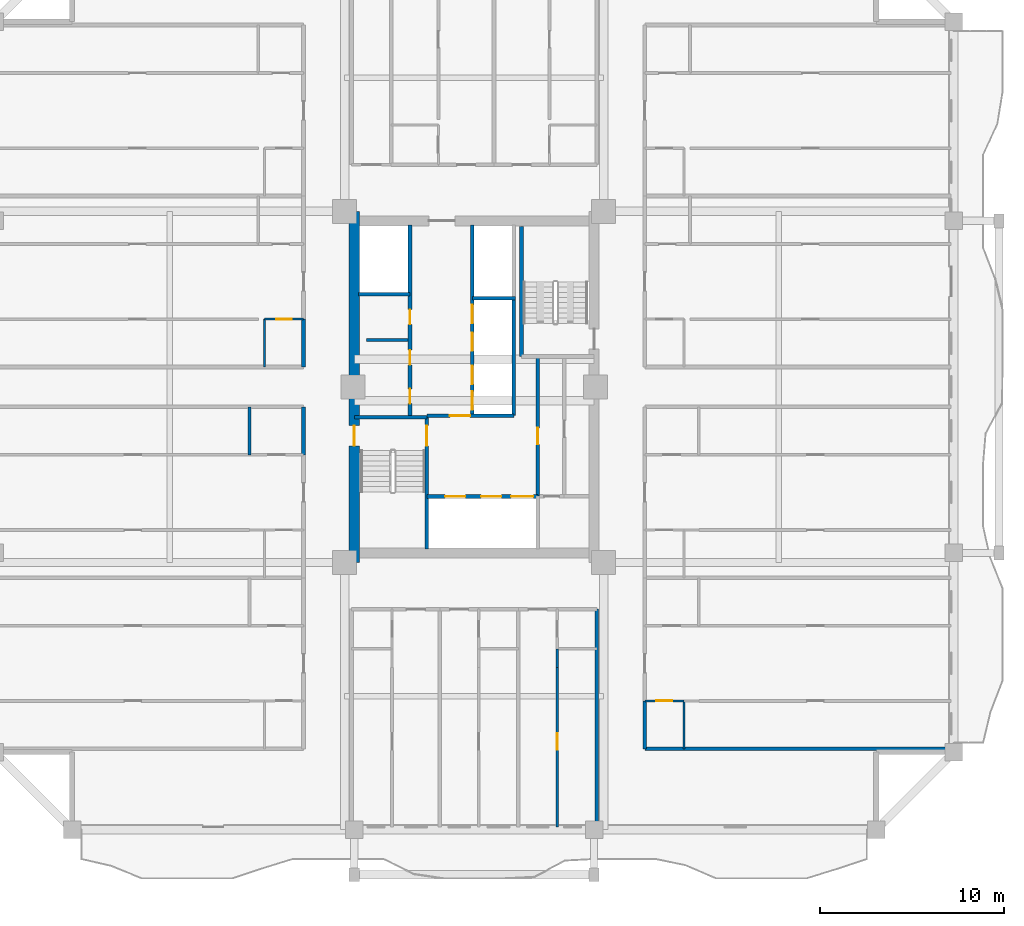
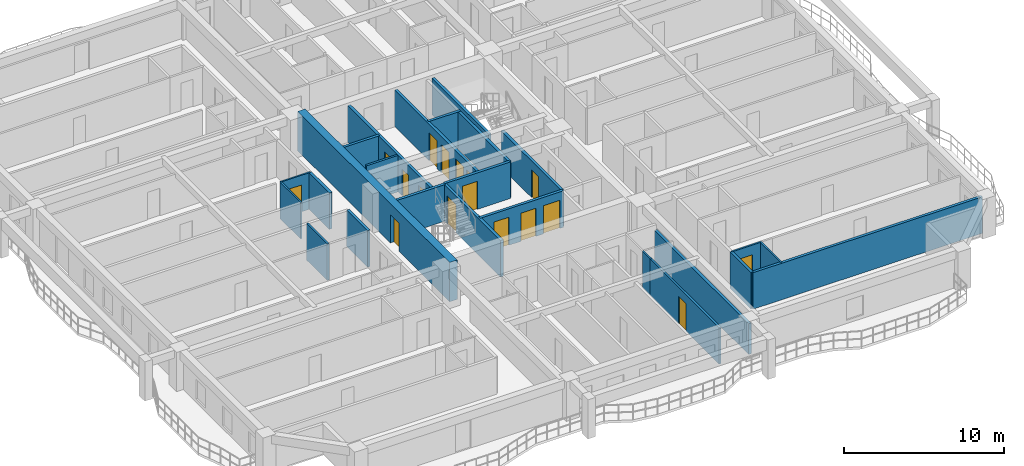
# One storey, part 4 of 13: 25 walls, 17 doors, 17 openings.
"""IFC4 building model written with IfcOpenShell, lengths in metres."""

from ifc_helpers import new_model, si_unit, direction, frame, frame_2d, origin, place, context, subcontext, project, spatial, rectangle, extrude, source, transform, mapped, material, layer, layer_set, type_object, element, fill, save


model = new_model("IFC4")

# Units and contexts
model_context = context("Model", 3, precision=1e-05, world=origin(), true_north=direction((0.0, 1.0)))
body_context = subcontext(model_context, "Body", "Model", "MODEL_VIEW")
ifc_project = project(units=[si_unit("LENGTHUNIT", "METRE"), si_unit("AREAUNIT", "SQUARE_METRE"), si_unit("VOLUMEUNIT", "CUBIC_METRE"), si_unit("PLANEANGLEUNIT", "RADIAN"), si_unit("MASSUNIT", "GRAM", prefix="KILO")], contexts=[model_context])

# Site, building, storey
site_placement = place(None, origin())
site = spatial("IfcSite", under=ifc_project, at=site_placement, CompositionType="ELEMENT")
building_placement = place(site_placement, origin())
building = spatial("IfcBuilding", under=site, at=building_placement, Name="Saelheon Loggia Tower", CompositionType="ELEMENT")
storey_placement = place(building_placement, frame((0.0, 0.0, 110.85009765625)))
storey = spatial("IfcBuildingStorey", under=building, at=storey_placement, Name="L35", CompositionType="ELEMENT", Elevation=110.85009765625)

# Wall, opening, door
ifc_material_1 = material(Name="Concrete C50/60", Category="concrete")
ifc_layer_1 = layer(ifc_material_1, 0.550048828125)
ifc_layer_set_1 = layer_set([ifc_layer_1], Name="Concrete C50/60")
wall_type_1 = type_object("IfcWallType", Name="Wall_CoreShear_550", PredefinedType="SHEAR", material=ifc_layer_set_1)
wall_1_placement = place(storey_placement, frame((31.5, 17.47998046875, 0.0), z_axis=(0.0, 0.0, 1.0), x_axis=(0.0, 1.0, 0.0)))
wall_1 = element("IfcWall", 1, at=wall_1_placement, inside=storey, type_object=wall_type_1, Name="L35 Core Shear Wall West", PredefinedType="SHEAR", context=body_context, shape_type="SweptSolid", body=[
    extrude(rectangle(XDim=19.0400390625, YDim=0.550048828125, at=frame_2d((9.52001953125, 0.0))), origin(), (0.0, 0.0, 1.0), 3.0),
])
opening_1_placement = place(wall_1_placement, frame((6.320068359375, 0.0, 0.0)))
opening_1 = element("IfcOpeningElement", 2, at=opening_1_placement, cuts=wall_1, Name="Opening D-FD2", PredefinedType="OPENING", context=body_context, shape_type="SweptSolid", body=[
    extrude(rectangle(XDim=1.10009765625, YDim=2.14990234375, at=frame_2d((0.550048828125, 1.074951171875))), frame((0.0, 0.287109375, 0.0), z_axis=(0.0, -1.0, 0.0), x_axis=(1.0, 0.0, 0.0)), (0.0, 0.0, 1.0), 0.573974609375),
])
ifc_material_2 = material(Name="Galvanised Steel Fire Door", Category="steel")
door_type_1 = type_object("IfcDoorType", Name="Door_Fire_FD60_1100", OperationType="NOTDEFINED", PredefinedType="DOOR", material=ifc_material_2)
shared_shape_1 = source(origin(), body_context, "Body", "SweptSolid", [
    extrude(rectangle(XDim=1.10009765625, YDim=2.14990234375, at=frame_2d((0.550048828125, 1.074951171875))), frame((0.0, 0.02490234375, 0.0), z_axis=(0.0, -1.0, 0.0), x_axis=(1.0, 0.0, 0.0)), (0.0, 0.0, 1.0), 0.050048828125),
])
door_1_placement = place(opening_1_placement, origin())
door_1 = element("IfcDoor", 3, at=door_1_placement, inside=storey, type_object=door_type_1, Name="L35 Stair ST1 Corridor Door", OperationType="SINGLE_SWING_LEFT", OverallHeight=2.14990234375, OverallWidth=1.10009765625, PredefinedType="DOOR", context=body_context, shape_type="MappedRepresentation", body=[
    mapped(shared_shape_1, transform((0.0, 0.0, 0.0), scale=1.0)),
])
fill(opening_1, door_1)

# Wall
ifc_material_3 = material(Name="Lightweight Autoclaved Aerated Concrete Block and Acoustic Gypsum", Category="concrete")
ifc_layer_2 = layer(ifc_material_3, 0.14990234375)
ifc_layer_set_2 = layer_set([ifc_layer_2], Name="Lightweight Autoclaved Aerated Concrete Block and Acoustic Gypsum")
wall_type_2 = type_object("IfcWallType", Name="Wall_Part_150", PredefinedType="PARTITIONING", material=ifc_layer_set_2)
wall_2_placement = place(storey_placement, frame((32.14990234375, 29.550048828125, 0.0), z_axis=(0.0, 0.0, 1.0), x_axis=(1.0, 0.0, 0.0)))
element("IfcWall", 4, at=wall_2_placement, inside=storey, type_object=wall_type_2, Name="L35 Freed Core Partition PL1", PredefinedType="PARTITIONING", context=body_context, shape_type="SweptSolid", body=[
    extrude(rectangle(XDim=2.27001953125, YDim=0.14990234375, at=frame_2d((1.135009765625, 0.0))), origin(), (0.0, 0.0, 1.0), 2.789794921875),
])

# Wall, opening, door
wall_3_placement = place(storey_placement, frame((42.5, 11.780029296875, 0.0), z_axis=(0.0, 0.0, 1.0), x_axis=(0.0, -1.0, 0.0)))
wall_3 = element("IfcWall", 5, at=wall_3_placement, inside=storey, type_object=wall_type_2, Name="L35 S Partition U22", PredefinedType="PARTITIONING", context=body_context, shape_type="SweptSolid", body=[
    extrude(rectangle(XDim=8.630126953125, YDim=0.14990234375, at=frame_2d((4.31494140625, 0.0))), origin(), (0.0, 0.0, 1.0), 2.789794921875),
])
opening_2_placement = place(wall_3_placement, frame((3.56298828125, 0.0, 0.0)))
opening_2 = element("IfcOpeningElement", 6, at=opening_2_placement, cuts=wall_3, Name="Opening D-IN2", PredefinedType="OPENING", context=body_context, shape_type="SweptSolid", body=[
    extrude(rectangle(XDim=0.89990234375, YDim=2.10009765625, at=frame_2d((0.449951171875, 1.050048828125))), frame((0.0, 0.0869140625, 0.0), z_axis=(0.0, -1.0, 0.0), x_axis=(1.0, 0.0, 0.0)), (0.0, 0.0, 1.0), 0.173828125),
])
ifc_material_4 = material(Name="Engineered Oak Flush Door", Category="timber")
door_type_2 = type_object("IfcDoorType", Name="Door_Int_900", OperationType="NOTDEFINED", PredefinedType="DOOR", material=ifc_material_4)
shared_shape_2 = source(origin(), body_context, "Body", "SweptSolid", [
    extrude(rectangle(XDim=0.89990234375, YDim=2.10009765625, at=frame_2d((0.449951171875, 1.050048828125))), frame((0.0, 0.02490234375, 0.0), z_axis=(0.0, -1.0, 0.0), x_axis=(1.0, 0.0, 0.0)), (0.0, 0.0, 1.0), 0.050048828125),
])
door_2_placement = place(opening_2_placement, origin())
door_2 = element("IfcDoor", 7, at=door_2_placement, inside=storey, type_object=door_type_2, Name="Unit U03 Kitchen Door", OperationType="SINGLE_SWING_RIGHT", OverallHeight=2.10009765625, OverallWidth=0.89990234375, PredefinedType="DOOR", context=body_context, shape_type="MappedRepresentation", body=[
    mapped(shared_shape_2, transform((0.0, 0.0, 0.0), scale=1.0)),
])
fill(opening_2, door_2)

# Walls
wall_4_placement = place(storey_placement, frame((25.820068359375, 23.320068359375, 0.0), z_axis=(0.0, 0.0, 1.0), x_axis=(0.0, 1.0, 0.0)))
element("IfcWall", 8, at=wall_4_placement, inside=storey, type_object=wall_type_2, Name="L35 WS Partition V18", PredefinedType="PARTITIONING", context=body_context, shape_type="SweptSolid", body=[
    extrude(rectangle(XDim=2.599853515625, YDim=0.14990234375, at=frame_2d((1.2998046875, 0.0))), origin(), (0.0, 0.0, 1.0), 2.789794921875),
])
ifc_material_5 = material(Name="Double Acoustic Stud and Fireboard Partition", Category="gypsum")
ifc_layer_3 = layer(ifc_material_5, 0.199951171875)
ifc_layer_set_3 = layer_set([ifc_layer_3], Name="Double Acoustic Stud and Fireboard Partition")
wall_type_3 = type_object("IfcWallType", Name="Wall_Party_200", PredefinedType="PARTITIONING", material=ifc_layer_set_3)
wall_5_placement = place(storey_placement, frame((44.64990234375, 14.949951171875, 0.0), z_axis=(0.0, 0.0, 1.0), x_axis=(0.0, -1.0, 0.0)))
element("IfcWall", 9, at=wall_5_placement, inside=storey, type_object=wall_type_3, Name="L35 S Partition U02", PredefinedType="PARTITIONING", context=body_context, shape_type="SweptSolid", body=[
    extrude(rectangle(XDim=11.800048828125, YDim=0.199951171875, at=frame_2d((5.89990234375, 0.0))), origin(), (0.0, 0.0, 1.0), 2.33984375),
])
wall_6_placement = place(storey_placement, frame((28.75, 23.320068359375, 0.0), z_axis=(0.0, 0.0, 1.0), x_axis=(0.0, 1.0, 0.0)))
element("IfcWall", 10, at=wall_6_placement, inside=storey, type_object=wall_type_3, Name="L35 WS Partition V16", PredefinedType="PARTITIONING", context=body_context, shape_type="SweptSolid", body=[
    extrude(rectangle(XDim=2.599853515625, YDim=0.199951171875, at=frame_2d((1.2998046875, 0.0))), origin(), (0.0, 0.0, 1.0), 2.789794921875),
])
wall_7_placement = place(storey_placement, frame((28.75, 28.080078125, 0.0), z_axis=(0.0, 0.0, 1.0), x_axis=(0.0, 1.0, 0.0)))
element("IfcWall", 11, at=wall_7_placement, inside=storey, type_object=wall_type_3, Name="L35 WN Partition V03", PredefinedType="PARTITIONING", context=body_context, shape_type="SweptSolid", body=[
    extrude(rectangle(XDim=2.595458984375, YDim=0.199951171875, at=frame_2d((1.2978515625, 0.0))), origin(), (0.0, 0.0, 1.0), 2.789794921875),
])
wall_8_placement = place(storey_placement, frame((47.25, 7.3798828125, 0.0), z_axis=(0.0, 0.0, 1.0), x_axis=(1.0, 0.0, 0.0)))
element("IfcWall", 12, at=wall_8_placement, inside=storey, type_object=wall_type_3, Name="L35 ES Partition U01", PredefinedType="PARTITIONING", context=body_context, shape_type="SweptSolid", body=[
    extrude(rectangle(XDim=16.60009765625, YDim=0.199951171875, at=frame_2d((8.300048828125, 0.0))), origin(), (0.0, 0.0, 1.0), 2.789794921875),
])
wall_9_placement = place(storey_placement, frame((47.25, 7.3798828125, 0.0), z_axis=(0.0, 0.0, 1.0), x_axis=(0.0, 1.0, 0.0)))
element("IfcWall", 13, at=wall_9_placement, inside=storey, type_object=wall_type_3, Name="L35 ES Partition V03", PredefinedType="PARTITIONING", context=body_context, shape_type="SweptSolid", body=[
    extrude(rectangle(XDim=2.595703125, YDim=0.199951171875, at=frame_2d((1.2978515625, 0.0))), origin(), (0.0, 0.0, 1.0), 2.789794921875),
])

# Wall, opening, door
ifc_material_6 = material(Name="Concrete C40/50", Category="concrete")
ifc_layer_4 = layer(ifc_material_6, 0.199951171875)
ifc_layer_set_4 = layer_set([ifc_layer_4], Name="Concrete C40/50")
wall_type_4 = type_object("IfcWallType", Name="Wall_Shaft_200", PredefinedType="PARTITIONING", material=ifc_layer_set_4)
wall_10_placement = place(storey_placement, frame((41.449951171875, 21.080078125, 0.0), z_axis=(0.0, 0.0, 1.0), x_axis=(0.0, 1.0, 0.0)))
wall_10 = element("IfcWall", 14, at=wall_10_placement, inside=storey, type_object=wall_type_4, Name="CW-INT-L35-BOH-W1", PredefinedType="PARTITIONING", context=body_context, shape_type="SweptSolid", body=[
    extrude(rectangle(XDim=7.52001953125, YDim=0.199951171875, at=frame_2d((3.760009765625, 0.0))), origin(), (0.0, 0.0, 1.0), 2.789794921875),
])
opening_3_placement = place(wall_10_placement, frame((2.800048828125, 0.0, 0.0)))
opening_3 = element("IfcOpeningElement", 15, at=opening_3_placement, cuts=wall_10, Name="Opening D-RS1", PredefinedType="OPENING", context=body_context, shape_type="SweptSolid", body=[
    extrude(rectangle(XDim=0.89990234375, YDim=2.10009765625, at=frame_2d((0.449951171875, 1.050048828125))), frame((0.0, 0.112060546875, 0.0), z_axis=(0.0, -1.0, 0.0), x_axis=(1.0, 0.0, 0.0)), (0.0, 0.0, 1.0), 0.223876953125),
])
ifc_material_7 = material(Name="Galvanised Steel Riser Access Door", Category="steel")
door_type_3 = type_object("IfcDoorType", Name="Door_Riser_FD60", OperationType="NOTDEFINED", PredefinedType="DOOR", material=ifc_material_7)
door_3_placement = place(opening_3_placement, origin())
door_3 = element("IfcDoor", 16, at=door_3_placement, inside=storey, type_object=door_type_3, Name="L35 Service Store Door", OperationType="SINGLE_SWING_RIGHT", OverallHeight=2.10009765625, OverallWidth=0.89990234375, PredefinedType="DOOR", context=body_context, shape_type="MappedRepresentation", body=[
    mapped(shared_shape_2, transform((0.0, 0.0, 0.0), scale=1.0)),
])
fill(opening_3, door_3)

# Wall
wall_11_placement = place(storey_placement, frame((40.14990234375, 25.43994140625, 0.0), z_axis=(0.0, 0.0, 1.0), x_axis=(0.0, 1.0, 0.0)))
element("IfcWall", 17, at=wall_11_placement, inside=storey, type_object=wall_type_4, Name="L35 Core Service Passage West Wall", PredefinedType="PARTITIONING", context=body_context, shape_type="SweptSolid", body=[
    extrude(rectangle(XDim=6.360107421875, YDim=0.199951171875, at=frame_2d((3.18017578125, 0.0))), origin(), (0.0, 0.0, 1.0), 2.789794921875),
])

# Wall, openings, doors
wall_12_placement = place(storey_placement, frame((35.429931640625, 21.06005859375, 0.0), z_axis=(0.0, 0.0, 1.0), x_axis=(1.0, 0.0, 0.0)))
wall_12 = element("IfcWall", 18, at=wall_12_placement, inside=storey, type_object=wall_type_4, Name="L35 Firefighting Lift Shaft Front Wall", PredefinedType="PARTITIONING", context=body_context, shape_type="SweptSolid", body=[
    extrude(rectangle(XDim=6.02001953125, YDim=0.199951171875, at=frame_2d((3.010009765625, 0.0))), origin(), (0.0, 0.0, 1.0), 2.789794921875),
])
opening_4_placement = place(wall_12_placement, frame((1.0, 0.0, 0.0)))
opening_4 = element("IfcOpeningElement", 19, at=opening_4_placement, cuts=wall_12, Name="Opening LD2", PredefinedType="OPENING", context=body_context, shape_type="SweptSolid", body=[
    extrude(rectangle(XDim=1.10009765625, YDim=2.14990234375, at=frame_2d((0.550048828125, 1.074951171875))), frame((0.0, 0.112060546875, 0.0), z_axis=(0.0, -1.0, 0.0), x_axis=(1.0, 0.0, 0.0)), (0.0, 0.0, 1.0), 0.223876953125),
])
opening_5_placement = place(wall_12_placement, frame((2.949951171875, 0.0, 0.0)))
opening_5 = element("IfcOpeningElement", 20, at=opening_5_placement, cuts=wall_12, Name="Opening LD2", PredefinedType="OPENING", context=body_context, shape_type="SweptSolid", body=[
    extrude(rectangle(XDim=1.10009765625, YDim=2.14990234375, at=frame_2d((0.550048828125, 1.074951171875))), frame((0.0, 0.112060546875, 0.0), z_axis=(0.0, -1.0, 0.0), x_axis=(1.0, 0.0, 0.0)), (0.0, 0.0, 1.0), 0.223876953125),
])
opening_6_placement = place(wall_12_placement, frame((4.580078125, 0.0, 0.0)))
opening_6 = element("IfcOpeningElement", 21, at=opening_6_placement, cuts=wall_12, Name="Opening LD3", PredefinedType="OPENING", context=body_context, shape_type="SweptSolid", body=[
    extrude(rectangle(XDim=1.199951171875, YDim=2.14990234375, at=frame_2d((0.60009765625, 1.074951171875))), frame((0.0, 0.112060546875, 0.0), z_axis=(0.0, -1.0, 0.0), x_axis=(1.0, 0.0, 0.0)), (0.0, 0.0, 1.0), 0.223876953125),
])
ifc_material_8 = material(Name="Firefighting Stainless Steel 316 Landing Door", Category="steel")
door_type_4 = type_object("IfcDoorType", Name="Door_Lift_LD2", OperationType="DOUBLE_DOOR_SLIDING", PredefinedType="DOOR", material=ifc_material_8)
door_4_placement = place(opening_4_placement, origin())
door_4 = element("IfcDoor", 22, at=door_4_placement, inside=storey, type_object=door_type_4, Name="L35 FF1 Landing Door", OperationType="DOUBLE_DOOR_SLIDING", OverallHeight=2.14990234375, OverallWidth=1.10009765625, PredefinedType="DOOR", context=body_context, shape_type="MappedRepresentation", body=[
    mapped(shared_shape_1, transform((0.0, 0.0, 0.0), scale=1.0)),
])
fill(opening_4, door_4)
door_5_placement = place(opening_5_placement, origin())
door_5 = element("IfcDoor", 23, at=door_5_placement, inside=storey, type_object=door_type_4, Name="L35 FF2 Landing Door", OperationType="DOUBLE_DOOR_SLIDING", OverallHeight=2.14990234375, OverallWidth=1.10009765625, PredefinedType="DOOR", context=body_context, shape_type="MappedRepresentation", body=[
    mapped(shared_shape_1, transform((0.0, 0.0, 0.0), scale=1.0)),
])
fill(opening_5, door_5)
ifc_material_9 = material(Name="Stretcher Lift Stainless Steel 304 Landing Door", Category="steel")
door_type_5 = type_object("IfcDoorType", Name="Door_Lift_LD3", OperationType="DOUBLE_DOOR_SLIDING", PredefinedType="DOOR", material=ifc_material_9)
shared_shape_3 = source(origin(), body_context, "Body", "SweptSolid", [
    extrude(rectangle(XDim=1.199951171875, YDim=2.14990234375, at=frame_2d((0.60009765625, 1.074951171875))), frame((0.0, 0.02490234375, 0.0), z_axis=(0.0, -1.0, 0.0), x_axis=(1.0, 0.0, 0.0)), (0.0, 0.0, 1.0), 0.050048828125),
])
door_6_placement = place(opening_6_placement, origin())
door_6 = element("IfcDoor", 24, at=door_6_placement, inside=storey, type_object=door_type_5, Name="L35 SV1 Landing Door", OperationType="DOUBLE_DOOR_SLIDING", OverallHeight=2.14990234375, OverallWidth=1.199951171875, PredefinedType="DOOR", context=body_context, shape_type="MappedRepresentation", body=[
    mapped(shared_shape_3, transform((0.0, 0.0, 0.0), scale=1.0)),
])
fill(opening_6, door_6)

# Wall, opening, door
wall_13_placement = place(storey_placement, frame((35.429931640625, 25.43994140625, 0.0), z_axis=(0.0, 0.0, 1.0), x_axis=(1.0, 0.0, 0.0)))
wall_13 = element("IfcWall", 25, at=wall_13_placement, inside=storey, type_object=wall_type_4, Name="L35 Firefighting Lobby Compartment Wall", PredefinedType="PARTITIONING", context=body_context, shape_type="SweptSolid", body=[
    extrude(rectangle(XDim=4.719970703125, YDim=0.199951171875, at=frame_2d((2.35986328125, 0.0))), origin(), (0.0, 0.0, 1.0), 2.789794921875),
])
opening_7_placement = place(wall_13_placement, frame((1.25, 0.0, 0.0)))
opening_7 = element("IfcOpeningElement", 26, at=opening_7_placement, cuts=wall_13, Name="Opening D-FD2", PredefinedType="OPENING", context=body_context, shape_type="SweptSolid", body=[
    extrude(rectangle(XDim=1.10009765625, YDim=2.14990234375, at=frame_2d((0.550048828125, 1.074951171875))), frame((0.0, 0.112060546875, 0.0), z_axis=(0.0, -1.0, 0.0), x_axis=(1.0, 0.0, 0.0)), (0.0, 0.0, 1.0), 0.223876953125),
])
door_7_placement = place(opening_7_placement, origin())
door_7 = element("IfcDoor", 27, at=door_7_placement, inside=storey, type_object=door_type_1, Name="L35 Firefighting Lobby Door", OperationType="SINGLE_SWING_LEFT", OverallHeight=2.14990234375, OverallWidth=1.10009765625, PredefinedType="DOOR", context=body_context, shape_type="MappedRepresentation", body=[
    mapped(shared_shape_1, transform((0.0, 0.0, 0.0), scale=1.0)),
])
fill(opening_7, door_7)

# Wall, openings, doors
wall_14_placement = place(storey_placement, frame((34.52001953125, 25.43994140625, 0.0), z_axis=(0.0, 0.0, 1.0), x_axis=(0.0, 1.0, 0.0)))
wall_14 = element("IfcWall", 28, at=wall_14_placement, inside=storey, type_object=wall_type_4, Name="L35 West Passenger Lift Bank Wall", PredefinedType="PARTITIONING", context=body_context, shape_type="SweptSolid", body=[
    extrude(rectangle(XDim=10.340087890625, YDim=0.199951171875, at=frame_2d((5.169921875, 0.0))), origin(), (0.0, 0.0, 1.0), 2.789794921875),
])
opening_8_placement = place(wall_14_placement, frame((0.64990234375, 0.0, 0.0)))
opening_8 = element("IfcOpeningElement", 29, at=opening_8_placement, cuts=wall_14, Name="Opening D-ST1", PredefinedType="OPENING", context=body_context, shape_type="SweptSolid", body=[
    extrude(rectangle(XDim=0.800048828125, YDim=2.050048828125, at=frame_2d((0.39990234375, 1.02490234375))), frame((0.0, 0.112060546875, 0.0), z_axis=(0.0, -1.0, 0.0), x_axis=(1.0, 0.0, 0.0)), (0.0, 0.0, 1.0), 0.223876953125),
])
opening_9_placement = place(wall_14_placement, frame((2.75, 0.0, 0.0)))
opening_9 = element("IfcOpeningElement", 30, at=opening_9_placement, cuts=wall_14, Name="Opening D-ST1", PredefinedType="OPENING", context=body_context, shape_type="SweptSolid", body=[
    extrude(rectangle(XDim=0.800048828125, YDim=2.050048828125, at=frame_2d((0.39990234375, 1.02490234375))), frame((0.0, 0.112060546875, 0.0), z_axis=(0.0, -1.0, 0.0), x_axis=(1.0, 0.0, 0.0)), (0.0, 0.0, 1.0), 0.223876953125),
])
opening_10_placement = place(wall_14_placement, frame((4.949951171875, 0.0, 0.0)))
opening_10 = element("IfcOpeningElement", 31, at=opening_10_placement, cuts=wall_14, Name="Opening D-ST1", PredefinedType="OPENING", context=body_context, shape_type="SweptSolid", body=[
    extrude(rectangle(XDim=0.800048828125, YDim=2.050048828125, at=frame_2d((0.39990234375, 1.02490234375))), frame((0.0, 0.112060546875, 0.0), z_axis=(0.0, -1.0, 0.0), x_axis=(1.0, 0.0, 0.0)), (0.0, 0.0, 1.0), 0.223876953125),
])
ifc_material_10 = material(Name="Powder-Coated Steel Store Door", Category="steel")
door_type_6 = type_object("IfcDoorType", Name="Door_Store_800", OperationType="NOTDEFINED", PredefinedType="DOOR", material=ifc_material_10)
shared_shape_4 = source(origin(), body_context, "Body", "SweptSolid", [
    extrude(rectangle(XDim=0.800048828125, YDim=2.050048828125, at=frame_2d((0.39990234375, 1.02490234375))), frame((0.0, 0.02490234375, 0.0), z_axis=(0.0, -1.0, 0.0), x_axis=(1.0, 0.0, 0.0)), (0.0, 0.0, 1.0), 0.050048828125),
])
door_8_placement = place(opening_8_placement, origin())
door_8 = element("IfcDoor", 32, at=door_8_placement, inside=storey, type_object=door_type_6, Name="L35 Telecom Store Door", OperationType="SINGLE_SWING_LEFT", OverallHeight=2.050048828125, OverallWidth=0.800048828125, PredefinedType="DOOR", context=body_context, shape_type="MappedRepresentation", body=[
    mapped(shared_shape_4, transform((0.0, 0.0, 0.0), scale=1.0)),
])
fill(opening_8, door_8)
door_9_placement = place(opening_9_placement, origin())
door_9 = element("IfcDoor", 33, at=door_9_placement, inside=storey, type_object=door_type_6, Name="L35 Linen Closet Door", OperationType="SINGLE_SWING_RIGHT", OverallHeight=2.050048828125, OverallWidth=0.800048828125, PredefinedType="DOOR", context=body_context, shape_type="MappedRepresentation", body=[
    mapped(shared_shape_4, transform((0.0, 0.0, 0.0), scale=1.0)),
])
fill(opening_9, door_9)
door_10_placement = place(opening_10_placement, origin())
door_10 = element("IfcDoor", 34, at=door_10_placement, inside=storey, type_object=door_type_6, Name="L35 Metering Store Door", OperationType="SINGLE_SWING_LEFT", OverallHeight=2.050048828125, OverallWidth=0.800048828125, PredefinedType="DOOR", context=body_context, shape_type="MappedRepresentation", body=[
    mapped(shared_shape_4, transform((0.0, 0.0, 0.0), scale=1.0)),
])
fill(opening_10, door_10)

# Wall
wall_15_placement = place(storey_placement, frame((31.719970703125, 32.02001953125, 0.0), z_axis=(0.0, 0.0, 1.0), x_axis=(1.0, 0.0, 0.0)))
element("IfcWall", 35, at=wall_15_placement, inside=storey, type_object=wall_type_4, Name="L35 West High-Rise Shaft Divider", PredefinedType="PARTITIONING", context=body_context, shape_type="SweptSolid", body=[
    extrude(rectangle(XDim=2.800048828125, YDim=0.199951171875, at=frame_2d((1.39990234375, 0.0))), origin(), (0.0, 0.0, 1.0), 2.789794921875),
])

# Wall, openings, doors
wall_16_placement = place(storey_placement, frame((37.89990234375, 25.43994140625, 0.0), z_axis=(0.0, 0.0, 1.0), x_axis=(0.0, 1.0, 0.0)))
wall_16 = element("IfcWall", 36, at=wall_16_placement, inside=storey, type_object=wall_type_4, Name="L35 East Passenger Lift Bank Wall", PredefinedType="PARTITIONING", context=body_context, shape_type="SweptSolid", body=[
    extrude(rectangle(XDim=10.340087890625, YDim=0.199951171875, at=frame_2d((5.169921875, 0.0))), origin(), (0.0, 0.0, 1.0), 2.789794921875),
])
opening_11_placement = place(wall_16_placement, frame((0.320068359375, 0.0, 0.0)))
opening_11 = element("IfcOpeningElement", 37, at=opening_11_placement, cuts=wall_16, Name="Opening LD1", PredefinedType="OPENING", context=body_context, shape_type="SweptSolid", body=[
    extrude(rectangle(XDim=1.0, YDim=2.14990234375, at=frame_2d((0.5, 1.074951171875))), frame((0.0, 0.112060546875, 0.0), z_axis=(0.0, -1.0, 0.0), x_axis=(1.0, 0.0, 0.0)), (0.0, 0.0, 1.0), 0.223876953125),
])
opening_12_placement = place(wall_16_placement, frame((1.7099609375, 0.0, 0.0)))
opening_12 = element("IfcOpeningElement", 38, at=opening_12_placement, cuts=wall_16, Name="Opening LD1", PredefinedType="OPENING", context=body_context, shape_type="SweptSolid", body=[
    extrude(rectangle(XDim=1.0, YDim=2.14990234375, at=frame_2d((0.5, 1.074951171875))), frame((0.0, 0.112060546875, 0.0), z_axis=(0.0, -1.0, 0.0), x_axis=(1.0, 0.0, 0.0)), (0.0, 0.0, 1.0), 0.223876953125),
])
opening_13_placement = place(wall_16_placement, frame((3.510009765625, 0.0, 0.0)))
opening_13 = element("IfcOpeningElement", 39, at=opening_13_placement, cuts=wall_16, Name="Opening LD1", PredefinedType="OPENING", context=body_context, shape_type="SweptSolid", body=[
    extrude(rectangle(XDim=1.0, YDim=2.14990234375, at=frame_2d((0.5, 1.074951171875))), frame((0.0, 0.112060546875, 0.0), z_axis=(0.0, -1.0, 0.0), x_axis=(1.0, 0.0, 0.0)), (0.0, 0.0, 1.0), 0.223876953125),
])
opening_14_placement = place(wall_16_placement, frame((5.010009765625, 0.0, 0.0)))
opening_14 = element("IfcOpeningElement", 40, at=opening_14_placement, cuts=wall_16, Name="Opening LD1", PredefinedType="OPENING", context=body_context, shape_type="SweptSolid", body=[
    extrude(rectangle(XDim=1.0, YDim=2.14990234375, at=frame_2d((0.5, 1.074951171875))), frame((0.0, 0.112060546875, 0.0), z_axis=(0.0, -1.0, 0.0), x_axis=(1.0, 0.0, 0.0)), (0.0, 0.0, 1.0), 0.223876953125),
])
ifc_material_11 = material(Name="Brushed Stainless Steel 304 Landing Door", Category="steel")
door_type_7 = type_object("IfcDoorType", Name="Door_Lift_LD1", OperationType="DOUBLE_DOOR_SLIDING", PredefinedType="DOOR", material=ifc_material_11)
shared_shape_5 = source(origin(), body_context, "Body", "SweptSolid", [
    extrude(rectangle(XDim=1.0, YDim=2.14990234375, at=frame_2d((0.5, 1.074951171875))), frame((0.0, 0.02490234375, 0.0), z_axis=(0.0, -1.0, 0.0), x_axis=(1.0, 0.0, 0.0)), (0.0, 0.0, 1.0), 0.050048828125),
])
door_11_placement = place(opening_11_placement, origin())
door_11 = element("IfcDoor", 41, at=door_11_placement, inside=storey, type_object=door_type_7, Name="L35 PM1 Landing Door", OperationType="DOUBLE_DOOR_SLIDING", OverallHeight=2.14990234375, OverallWidth=1.0, PredefinedType="DOOR", context=body_context, shape_type="MappedRepresentation", body=[
    mapped(shared_shape_5, transform((0.0, 0.0, 0.0), scale=1.0)),
])
fill(opening_11, door_11)
door_12_placement = place(opening_12_placement, origin())
door_12 = element("IfcDoor", 42, at=door_12_placement, inside=storey, type_object=door_type_7, Name="L35 PM2 Landing Door", OperationType="DOUBLE_DOOR_SLIDING", OverallHeight=2.14990234375, OverallWidth=1.0, PredefinedType="DOOR", context=body_context, shape_type="MappedRepresentation", body=[
    mapped(shared_shape_5, transform((0.0, 0.0, 0.0), scale=1.0)),
])
fill(opening_12, door_12)
door_13_placement = place(opening_13_placement, origin())
door_13 = element("IfcDoor", 43, at=door_13_placement, inside=storey, type_object=door_type_7, Name="L35 PM3 Landing Door", OperationType="DOUBLE_DOOR_SLIDING", OverallHeight=2.14990234375, OverallWidth=1.0, PredefinedType="DOOR", context=body_context, shape_type="MappedRepresentation", body=[
    mapped(shared_shape_5, transform((0.0, 0.0, 0.0), scale=1.0)),
])
fill(opening_13, door_13)
door_14_placement = place(opening_14_placement, origin())
door_14 = element("IfcDoor", 44, at=door_14_placement, inside=storey, type_object=door_type_7, Name="L35 PM4 Landing Door", OperationType="DOUBLE_DOOR_SLIDING", OverallHeight=2.14990234375, OverallWidth=1.0, PredefinedType="DOOR", context=body_context, shape_type="MappedRepresentation", body=[
    mapped(shared_shape_5, transform((0.0, 0.0, 0.0), scale=1.0)),
])
fill(opening_14, door_14)

# Wall
wall_17_placement = place(storey_placement, frame((37.89990234375, 31.800048828125, 0.0), z_axis=(0.0, 0.0, 1.0), x_axis=(1.0, 0.0, 0.0)))
element("IfcWall", 45, at=wall_17_placement, inside=storey, type_object=wall_type_4, Name="L35 East High-Rise Shaft Divider", PredefinedType="PARTITIONING", context=body_context, shape_type="SweptSolid", body=[
    extrude(rectangle(XDim=2.35009765625, YDim=0.199951171875, at=frame_2d((1.175048828125, 0.0))), origin(), (0.0, 0.0, 1.0), 2.789794921875),
])

# Wall, opening, door
ifc_material_12 = material(Name="Concrete C45/55", Category="concrete")
ifc_layer_5 = layer(ifc_material_12, 0.199951171875)
ifc_layer_set_5 = layer_set([ifc_layer_5], Name="Concrete C45/55")
wall_type_5 = type_object("IfcWallType", Name="Wall_StairShaft_RC200", PredefinedType="SOLIDWALL", material=ifc_layer_set_5)
wall_18_placement = place(storey_placement, frame((35.429931640625, 18.219970703125, 0.0), z_axis=(0.0, 0.0, 1.0), x_axis=(0.0, 1.0, 0.0)))
wall_18 = element("IfcWall", 46, at=wall_18_placement, inside=storey, type_object=wall_type_5, Name="L35 Stair ST1 Shaft Wall", PredefinedType="SOLIDWALL", context=body_context, shape_type="SweptSolid", body=[
    extrude(rectangle(XDim=7.219970703125, YDim=0.199951171875, at=frame_2d((3.60986328125, 0.0))), origin(), (0.0, 0.0, 1.0), 2.789794921875),
])
opening_15_placement = place(wall_18_placement, frame((6.68017578125, 0.0, 0.0), z_axis=(0.0, 0.0, 1.0), x_axis=(-1.0, 0.0, 0.0)))
opening_15 = element("IfcOpeningElement", 47, at=opening_15_placement, cuts=wall_18, Name="Opening D-FD2", PredefinedType="OPENING", context=body_context, shape_type="SweptSolid", body=[
    extrude(rectangle(XDim=1.10009765625, YDim=2.14990234375, at=frame_2d((0.550048828125, 1.074951171875))), frame((0.0, 0.112060546875, 0.0), z_axis=(0.0, -1.0, 0.0), x_axis=(1.0, 0.0, 0.0)), (0.0, 0.0, 1.0), 0.223876953125),
])
door_15_placement = place(opening_15_placement, origin())
door_15 = element("IfcDoor", 48, at=door_15_placement, inside=storey, type_object=door_type_1, Name="L35 Stair ST1 Lobby Door", OperationType="SINGLE_SWING_RIGHT", OverallHeight=2.14990234375, OverallWidth=1.10009765625, PredefinedType="DOOR", context=body_context, shape_type="MappedRepresentation", body=[
    mapped(shared_shape_1, transform((0.0, 0.0, 0.0), scale=1.0)),
])
fill(opening_15, door_15)

# Walls
wall_19_placement = place(storey_placement, frame((31.5, 25.35009765625, 0.0), z_axis=(0.0, 0.0, 1.0), x_axis=(1.0, 0.0, 0.0)))
element("IfcWall", 49, at=wall_19_placement, inside=storey, type_object=wall_type_5, Name="L35 Stair ST1 North Wall", PredefinedType="SOLIDWALL", context=body_context, shape_type="SweptSolid", body=[
    extrude(rectangle(XDim=3.929931640625, YDim=0.199951171875, at=frame_2d((1.96484375, 0.0))), origin(), (0.0, 0.0, 1.0), 2.789794921875),
])
wall_20_placement = place(storey_placement, frame((40.570068359375, 28.64990234375, 0.0), z_axis=(0.0, 0.0, 1.0), x_axis=(0.0, 1.0, 0.0)))
element("IfcWall", 50, at=wall_20_placement, inside=storey, type_object=wall_type_5, Name="L35 Stair ST2 Shaft Wall", PredefinedType="SOLIDWALL", context=body_context, shape_type="SweptSolid", body=[
    extrude(rectangle(XDim=7.050048828125, YDim=0.199951171875, at=frame_2d((3.52490234375, 0.0))), origin(), (0.0, 0.0, 1.0), 2.789794921875),
])
ifc_material_13 = material(Name="Moisture-Resistant Cement Board Partition", Category="gypsum")
ifc_layer_6 = layer(ifc_material_13, 0.1201171875)
ifc_layer_set_6 = layer_set([ifc_layer_6], Name="Moisture-Resistant Cement Board Partition")
wall_type_6 = type_object("IfcWallType", Name="Wall_WetPart_120", PredefinedType="PARTITIONING", material=ifc_layer_set_6)
wall_21_placement = place(storey_placement, frame((42.5, 12.800048828125, 0.0), z_axis=(0.0, 0.0, 1.0), x_axis=(0.0, -1.0, 0.0)))
element("IfcWall", 51, at=wall_21_placement, inside=storey, type_object=wall_type_6, Name="L35 S Partition U20", PredefinedType="PARTITIONING", context=body_context, shape_type="SweptSolid", body=[
    extrude(rectangle(XDim=1.02001953125, YDim=0.1201171875, at=frame_2d((0.510009765625, 0.0))), origin(), (0.0, 0.0, 1.0), 2.789794921875),
])
wall_22_placement = place(storey_placement, frame((26.6298828125, 28.080078125, 0.0), z_axis=(0.0, 0.0, 1.0), x_axis=(0.0, 1.0, 0.0)))
element("IfcWall", 52, at=wall_22_placement, inside=storey, type_object=wall_type_6, Name="L35 WN Partition V06", PredefinedType="PARTITIONING", context=body_context, shape_type="SweptSolid", body=[
    extrude(rectangle(XDim=2.595458984375, YDim=0.1201171875, at=frame_2d((1.2978515625, 0.0))), origin(), (0.0, 0.0, 1.0), 2.789794921875),
])

# Wall, opening, door
wall_23_placement = place(storey_placement, frame((28.75, 30.675537109375, 0.0), z_axis=(0.0, 0.0, 1.0), x_axis=(-1.0, 0.0, 0.0)))
wall_23 = element("IfcWall", 53, at=wall_23_placement, inside=storey, type_object=wall_type_6, Name="L35 WN Partition U08", PredefinedType="PARTITIONING", context=body_context, shape_type="SweptSolid", body=[
    extrude(rectangle(XDim=2.1201171875, YDim=0.1201171875, at=frame_2d((1.06005859375, 0.0))), origin(), (0.0, 0.0, 1.0), 2.789794921875),
])
opening_16_placement = place(wall_23_placement, frame((0.635009765625, 0.0, 0.0)))
opening_16 = element("IfcOpeningElement", 54, at=opening_16_placement, cuts=wall_23, Name="Opening D-BT1", PredefinedType="OPENING", context=body_context, shape_type="SweptSolid", body=[
    extrude(rectangle(XDim=0.85009765625, YDim=2.050048828125, at=frame_2d((0.425048828125, 1.02490234375))), frame((0.0, 0.072021484375, 0.0), z_axis=(0.0, -1.0, 0.0), x_axis=(1.0, 0.0, 0.0)), (0.0, 0.0, 1.0), 0.14404296875),
])
ifc_material_14 = material(Name="Moisture-Resistant Laminate Timber Door", Category="wood")
door_type_8 = type_object("IfcDoorType", Name="Door_Bath_850", OperationType="NOTDEFINED", PredefinedType="DOOR", material=ifc_material_14)
shared_shape_6 = source(origin(), body_context, "Body", "SweptSolid", [
    extrude(rectangle(XDim=0.85009765625, YDim=2.050048828125, at=frame_2d((0.425048828125, 1.02490234375))), frame((0.0, 0.02490234375, 0.0), z_axis=(0.0, -1.0, 0.0), x_axis=(1.0, 0.0, 0.0)), (0.0, 0.0, 1.0), 0.050048828125),
])
door_16_placement = place(opening_16_placement, origin())
door_16 = element("IfcDoor", 55, at=door_16_placement, inside=storey, type_object=door_type_8, Name="Unit U08 Bathroom Door", OperationType="SINGLE_SWING_LEFT", OverallHeight=2.050048828125, OverallWidth=0.85009765625, PredefinedType="DOOR", context=body_context, shape_type="MappedRepresentation", body=[
    mapped(shared_shape_6, transform((0.0, 0.0, 0.0), scale=1.0)),
])
fill(opening_16, door_16)

# Wall
wall_24_placement = place(storey_placement, frame((49.3701171875, 7.3798828125, 0.0), z_axis=(0.0, 0.0, 1.0), x_axis=(0.0, 1.0, 0.0)))
element("IfcWall", 56, at=wall_24_placement, inside=storey, type_object=wall_type_6, Name="L35 ES Partition V06", PredefinedType="PARTITIONING", context=body_context, shape_type="SweptSolid", body=[
    extrude(rectangle(XDim=2.595703125, YDim=0.1201171875, at=frame_2d((1.2978515625, 0.0))), origin(), (0.0, 0.0, 1.0), 2.789794921875),
])

# Wall, opening, door
wall_25_placement = place(storey_placement, frame((47.25, 9.9755859375, 0.0), z_axis=(0.0, 0.0, 1.0), x_axis=(1.0, 0.0, 0.0)))
wall_25 = element("IfcWall", 57, at=wall_25_placement, inside=storey, type_object=wall_type_6, Name="L35 ES Partition U08", PredefinedType="PARTITIONING", context=body_context, shape_type="SweptSolid", body=[
    extrude(rectangle(XDim=2.1201171875, YDim=0.1201171875, at=frame_2d((1.06005859375, 0.0))), origin(), (0.0, 0.0, 1.0), 2.789794921875),
])
opening_17_placement = place(wall_25_placement, frame((0.635009765625, 0.0, 0.0)))
opening_17 = element("IfcOpeningElement", 58, at=opening_17_placement, cuts=wall_25, Name="Opening D-BT1", PredefinedType="OPENING", context=body_context, shape_type="SweptSolid", body=[
    extrude(rectangle(XDim=0.85009765625, YDim=2.050048828125, at=frame_2d((0.425048828125, 1.02490234375))), frame((0.0, 0.072021484375, 0.0), z_axis=(0.0, -1.0, 0.0), x_axis=(1.0, 0.0, 0.0)), (0.0, 0.0, 1.0), 0.14404296875),
])
door_17_placement = place(opening_17_placement, origin())
door_17 = element("IfcDoor", 59, at=door_17_placement, inside=storey, type_object=door_type_8, Name="Unit U10 Bathroom Door", OperationType="SINGLE_SWING_LEFT", OverallHeight=2.050048828125, OverallWidth=0.85009765625, PredefinedType="DOOR", context=body_context, shape_type="MappedRepresentation", body=[
    mapped(shared_shape_6, transform((0.0, 0.0, 0.0), scale=1.0)),
])
fill(opening_17, door_17)

save(model, "model.ifc")
